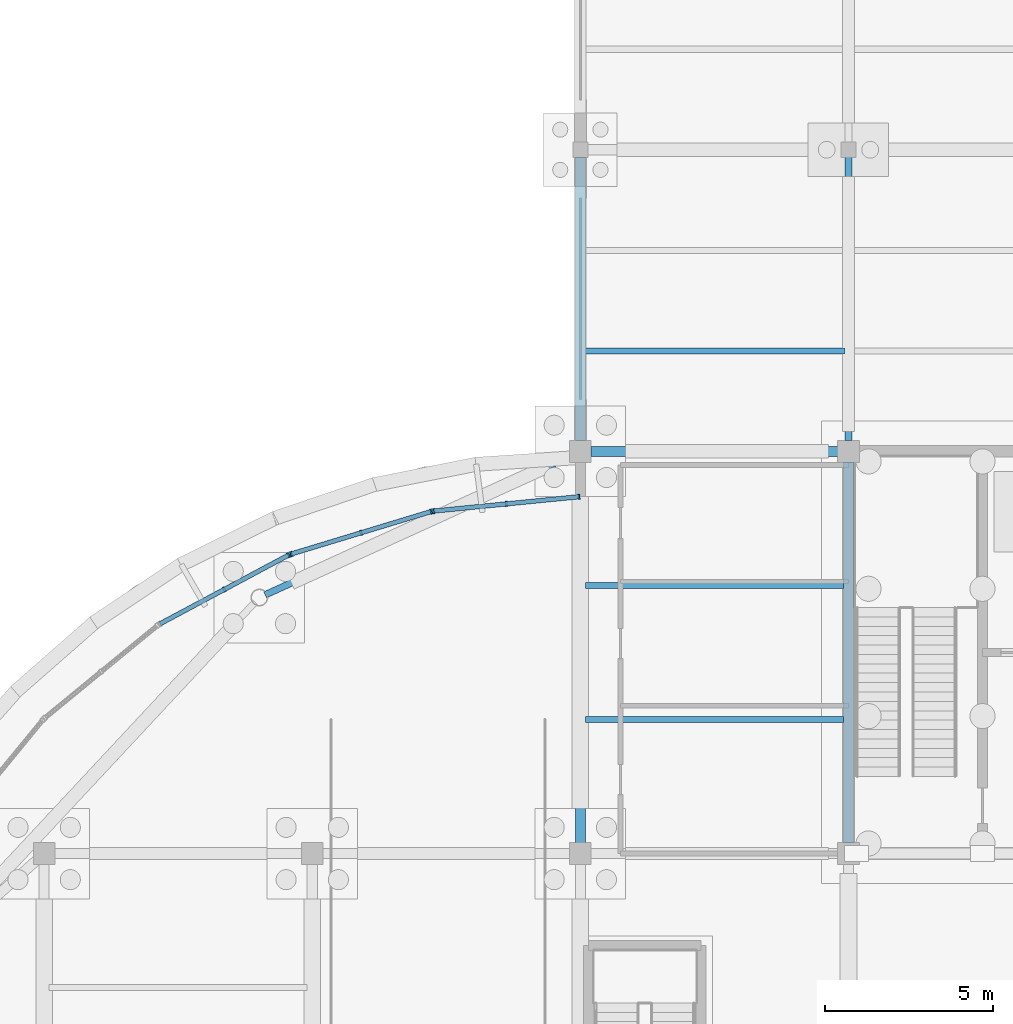
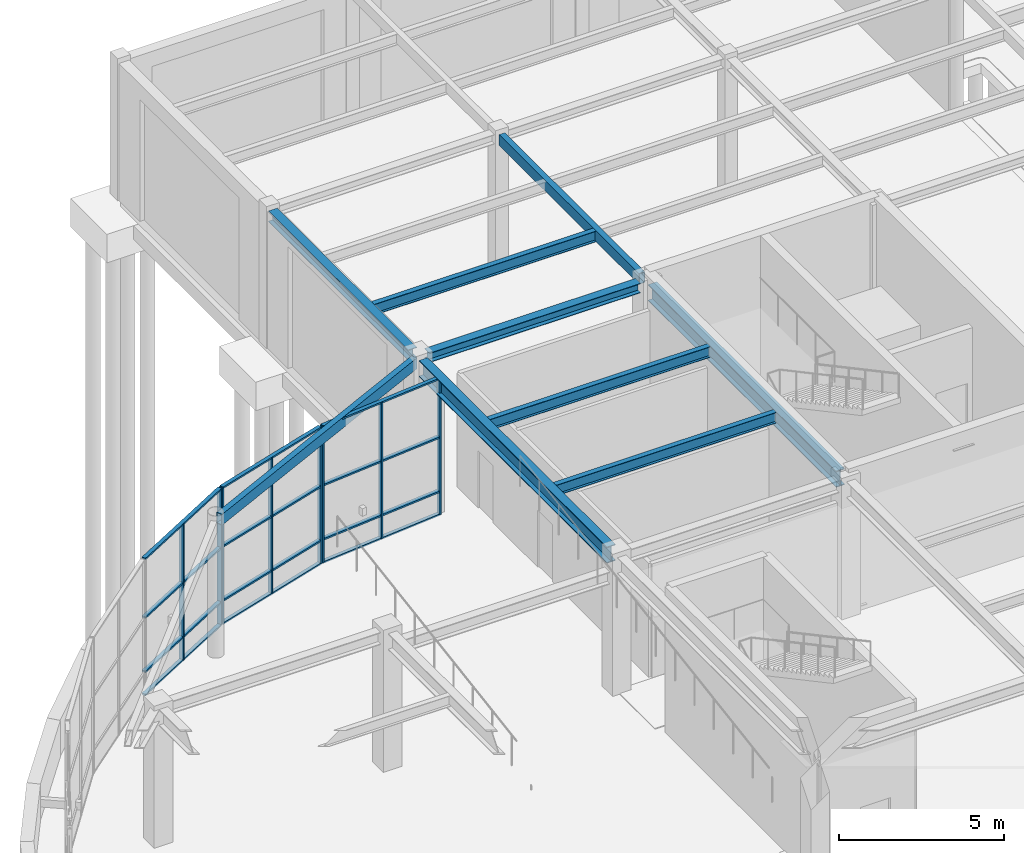
# One storey, part 32 of 85: 20 members, 9 beams, 3 elements without a shape of their own.
"""IFC4 building model written with IfcOpenShell, lengths in metres."""

from ifc_helpers import new_model, si_unit, direction, frame, origin, origin_2d, place, context, subcontext, project, spatial, rectangle, hollow_rectangle, i_section, extrude, material, layer, layer_set, material_profile, profile_set, type_object, element, aggregate, save


model = new_model("IFC4")

# Units and contexts
model_context = context("Model", 3, precision=1e-05, world=origin(), true_north=direction((0.0, 1.0)))
body_context = subcontext(model_context, "Body", "Model", "MODEL_VIEW")
ifc_project = project(units=[si_unit("LENGTHUNIT", "METRE"), si_unit("AREAUNIT", "SQUARE_METRE"), si_unit("VOLUMEUNIT", "CUBIC_METRE"), si_unit("PLANEANGLEUNIT", "RADIAN"), si_unit("MASSUNIT", "GRAM", prefix="KILO")], contexts=[model_context])

# Site, building, storey
site_placement = place(None, origin())
site = spatial("IfcSite", under=ifc_project, at=site_placement, CompositionType="ELEMENT")
building_placement = place(site_placement, origin())
building = spatial("IfcBuilding", under=site, at=building_placement, Name="Keelwater Ferry Terminal", CompositionType="ELEMENT")
storey_placement = place(building_placement, origin())
storey = spatial("IfcBuildingStorey", under=building, at=storey_placement, Name="L00", CompositionType="ELEMENT", Elevation=0.0)

# Curtain wall, members
ifc_material_1 = material(Name="Thermally broken unitised aluminium and triple glass", Category="aluminium")
ifc_layer = layer(ifc_material_1, 0.179931640625)
ifc_layer_set = layer_set([ifc_layer], Name="Thermally broken unitised aluminium and triple glass")
curtain_wall_type = type_object("IfcCurtainWallType", Name="CW-16 Unitised Curtain Wall 4350x5020", PredefinedType="USERDEFINED", material=ifc_layer_set)
curtain_wall_1_placement = place(storey_placement, origin())
curtain_wall_1 = element("IfcCurtainWall", 1, at=curtain_wall_1_placement, inside=storey, type_object=curtain_wall_type, Name="Unitised Curtain Wall CW-L00-077", ObjectType="UNITISED CURTAIN WALL", PredefinedType="USERDEFINED")
ifc_material_2 = material(Name="Aluminium mullion", Category="aluminium")
ifc_material_profile_1 = material_profile(ifc_material_2, rectangle(XDim=0.06005859375, YDim=0.14990234375, at=origin_2d()), Name="CWM-03")
ifc_profile_set_1 = profile_set([ifc_material_profile_1], Name="Aluminium mullion")
member_type_1 = type_object("IfcMemberType", Name="CWM-03 Curtain Mullion 60x150", PredefinedType="MULLION", material=ifc_profile_set_1)
member_1_placement = place(storey_placement, frame((23.955078125, 88.64599609375, 0.0), z_axis=(0.0, 0.0, 1.0), x_axis=(-0.995170573079, -0.098160737969, 0.0)))
member_1 = element("IfcMember", 2, at=member_1_placement, type_object=member_type_1, Name="CW-L00-077 Mullion 1", PredefinedType="MULLION", context=body_context, shape_type="SweptSolid", body=[
    extrude(rectangle(XDim=0.06005859375, YDim=0.14990234375, at=origin_2d()), origin(), (0.0, 0.0, 1.0), 5.02001953125),
])
member_2_placement = place(storey_placement, frame((21.79052734375, 88.4326171875, 0.0), z_axis=(0.0, 0.0, 1.0), x_axis=(-0.995170573079, -0.098160737969, 0.0)))
member_2 = element("IfcMember", 3, at=member_2_placement, type_object=member_type_1, Name="CW-L00-077 Mullion 2", PredefinedType="MULLION", context=body_context, shape_type="SweptSolid", body=[
    extrude(rectangle(XDim=0.06005859375, YDim=0.14990234375, at=origin_2d()), origin(), (0.0, 0.0, 1.0), 5.02001953125),
])
member_3_placement = place(storey_placement, frame((19.6259765625, 88.218994140625, 0.0), z_axis=(0.0, 0.0, 1.0), x_axis=(-0.995170573079, -0.098160737969, 0.0)))
member_3 = element("IfcMember", 4, at=member_3_placement, type_object=member_type_1, Name="CW-L00-077 Mullion 3", PredefinedType="MULLION", context=body_context, shape_type="SweptSolid", body=[
    extrude(rectangle(XDim=0.06005859375, YDim=0.14990234375, at=origin_2d()), origin(), (0.0, 0.0, 1.0), 5.02001953125),
])

curtain_wall_2_placement = place(storey_placement, origin())
curtain_wall_2 = element("IfcCurtainWall", 5, at=curtain_wall_2_placement, inside=storey, type_object=curtain_wall_type, Name="Unitised Curtain Wall CW-L00-078", ObjectType="UNITISED CURTAIN WALL", PredefinedType="USERDEFINED")
member_4_placement = place(storey_placement, frame((19.5380859375, 88.201904296875, 0.0), z_axis=(0.0, 0.0, 1.0), x_axis=(-0.956929623319, -0.290319989003, 0.0)))
member_4 = element("IfcMember", 6, at=member_4_placement, type_object=member_type_1, Name="CW-L00-078 Mullion 1", PredefinedType="MULLION", context=body_context, shape_type="SweptSolid", body=[
    extrude(rectangle(XDim=0.06005859375, YDim=0.14990234375, at=origin_2d()), origin(), (0.0, 0.0, 1.0), 5.02001953125),
])
member_5_placement = place(storey_placement, frame((17.45654296875, 87.570556640625, 0.0), z_axis=(0.0, 0.0, 1.0), x_axis=(-0.956929623319, -0.290319989003, 0.0)))
member_5 = element("IfcMember", 7, at=member_5_placement, type_object=member_type_1, Name="CW-L00-078 Mullion 2", PredefinedType="MULLION", context=body_context, shape_type="SweptSolid", body=[
    extrude(rectangle(XDim=0.06005859375, YDim=0.14990234375, at=origin_2d()), origin(), (0.0, 0.0, 1.0), 5.02001953125),
])
member_6_placement = place(storey_placement, frame((15.375, 86.93896484375, 0.0), z_axis=(0.0, 0.0, 1.0), x_axis=(-0.956929623319, -0.290319989003, 0.0)))
member_6 = element("IfcMember", 8, at=member_6_placement, type_object=member_type_1, Name="CW-L00-078 Mullion 3", PredefinedType="MULLION", context=body_context, shape_type="SweptSolid", body=[
    extrude(rectangle(XDim=0.06005859375, YDim=0.14990234375, at=origin_2d()), origin(), (0.0, 0.0, 1.0), 5.02001953125),
])

curtain_wall_3_placement = place(storey_placement, origin())
curtain_wall_3 = element("IfcCurtainWall", 9, at=curtain_wall_3_placement, inside=storey, type_object=curtain_wall_type, Name="Unitised Curtain Wall CW-L00-079", ObjectType="UNITISED CURTAIN WALL", PredefinedType="USERDEFINED")
member_7_placement = place(storey_placement, frame((15.2919921875, 86.905029296875, 0.0), z_axis=(0.0, 0.0, 1.0), x_axis=(-0.881862452632, -0.471506749303, 0.0)))
member_7 = element("IfcMember", 10, at=member_7_placement, type_object=member_type_1, Name="CW-L00-079 Mullion 1", PredefinedType="MULLION", context=body_context, shape_type="SweptSolid", body=[
    extrude(rectangle(XDim=0.06005859375, YDim=0.14990234375, at=origin_2d()), origin(), (0.0, 0.0, 1.0), 5.02001953125),
])
member_8_placement = place(storey_placement, frame((13.3740234375, 85.87939453125, 0.0), z_axis=(0.0, 0.0, 1.0), x_axis=(-0.881862452632, -0.471506749303, 0.0)))
member_8 = element("IfcMember", 11, at=member_8_placement, type_object=member_type_1, Name="CW-L00-079 Mullion 2", PredefinedType="MULLION", context=body_context, shape_type="SweptSolid", body=[
    extrude(rectangle(XDim=0.06005859375, YDim=0.14990234375, at=origin_2d()), origin(), (0.0, 0.0, 1.0), 5.02001953125),
])

# Member
ifc_material_3 = material(Name="Aluminium mullion", Category="aluminium")
ifc_material_profile_2 = material_profile(ifc_material_3, rectangle(XDim=0.135009765625, YDim=0.06005859375, at=origin_2d()), Name="CWT-03")
ifc_profile_set_2 = profile_set([ifc_material_profile_2], Name="Aluminium mullion")
member_type_2 = type_object("IfcMemberType", Name="CWT-03 Curtain Transom 60x135", PredefinedType="USERDEFINED", material=ifc_profile_set_2)
member_9_placement = place(storey_placement, frame((23.955078125, 88.64599609375, 0.0), z_axis=(-0.995170754178, -0.098158901932, 0.0), x_axis=(0.098158901932, -0.995170754178, 0.0)))
member_9 = element("IfcMember", 12, at=member_9_placement, type_object=member_type_2, Name="CW-L00-077 Transom 1", ObjectType="TRANSOM", PredefinedType="USERDEFINED", context=body_context, shape_type="SweptSolid", body=[
    extrude(rectangle(XDim=0.135009765625, YDim=0.06005859375, at=origin_2d()), origin(), (0.0, 0.0, 1.0), 4.35009765625),
])

member_10_placement = place(storey_placement, frame((23.955078125, 88.64599609375, 0.85009765625), z_axis=(-0.995170754178, -0.098158901932, 0.0), x_axis=(0.098158901932, -0.995170754178, 0.0)))
member_10 = element("IfcMember", 13, at=member_10_placement, type_object=member_type_2, Name="CW-L00-077 Transom 2", ObjectType="TRANSOM", PredefinedType="USERDEFINED", context=body_context, shape_type="SweptSolid", body=[
    extrude(rectangle(XDim=0.135009765625, YDim=0.06005859375, at=origin_2d()), origin(), (0.0, 0.0, 1.0), 4.35009765625),
])

member_11_placement = place(storey_placement, frame((23.955078125, 88.64599609375, 2.85009765625), z_axis=(-0.995170754178, -0.098158901932, 0.0), x_axis=(0.098158901932, -0.995170754178, 0.0)))
member_11 = element("IfcMember", 14, at=member_11_placement, type_object=member_type_2, Name="CW-L00-077 Transom 3", ObjectType="TRANSOM", PredefinedType="USERDEFINED", context=body_context, shape_type="SweptSolid", body=[
    extrude(rectangle(XDim=0.135009765625, YDim=0.06005859375, at=origin_2d()), origin(), (0.0, 0.0, 1.0), 4.35009765625),
])

member_12_placement = place(storey_placement, frame((23.955078125, 88.64599609375, 5.02001953125), z_axis=(-0.995170754178, -0.098158901932, 0.0), x_axis=(0.098158901932, -0.995170754178, 0.0)))
member_12 = element("IfcMember", 15, at=member_12_placement, type_object=member_type_2, Name="CW-L00-077 Transom 4", ObjectType="TRANSOM", PredefinedType="USERDEFINED", context=body_context, shape_type="SweptSolid", body=[
    extrude(rectangle(XDim=0.135009765625, YDim=0.06005859375, at=origin_2d()), origin(), (0.0, 0.0, 1.0), 4.35009765625),
])

aggregate(curtain_wall_1, [member_1, member_2, member_3, member_9, member_10, member_11, member_12])

member_13_placement = place(storey_placement, frame((19.5380859375, 88.201904296875, 0.0), z_axis=(-0.956935154583, -0.290301756665, 0.0), x_axis=(0.290301756665, -0.956935154583, 0.0)))
member_13 = element("IfcMember", 16, at=member_13_placement, type_object=member_type_2, Name="CW-L00-078 Transom 1", ObjectType="TRANSOM", PredefinedType="USERDEFINED", context=body_context, shape_type="SweptSolid", body=[
    extrude(rectangle(XDim=0.135009765625, YDim=0.06005859375, at=origin_2d()), origin(), (0.0, 0.0, 1.0), 4.350341796875),
])

member_14_placement = place(storey_placement, frame((19.5380859375, 88.201904296875, 0.85009765625), z_axis=(-0.956935154583, -0.290301756665, 0.0), x_axis=(0.290301756665, -0.956935154583, 0.0)))
member_14 = element("IfcMember", 17, at=member_14_placement, type_object=member_type_2, Name="CW-L00-078 Transom 2", ObjectType="TRANSOM", PredefinedType="USERDEFINED", context=body_context, shape_type="SweptSolid", body=[
    extrude(rectangle(XDim=0.135009765625, YDim=0.06005859375, at=origin_2d()), origin(), (0.0, 0.0, 1.0), 4.350341796875),
])

member_15_placement = place(storey_placement, frame((19.5380859375, 88.201904296875, 2.85009765625), z_axis=(-0.956935154583, -0.290301756665, 0.0), x_axis=(0.290301756665, -0.956935154583, 0.0)))
member_15 = element("IfcMember", 18, at=member_15_placement, type_object=member_type_2, Name="CW-L00-078 Transom 3", ObjectType="TRANSOM", PredefinedType="USERDEFINED", context=body_context, shape_type="SweptSolid", body=[
    extrude(rectangle(XDim=0.135009765625, YDim=0.06005859375, at=origin_2d()), origin(), (0.0, 0.0, 1.0), 4.350341796875),
])

member_16_placement = place(storey_placement, frame((19.5380859375, 88.201904296875, 5.02001953125), z_axis=(-0.956935154583, -0.290301756665, 0.0), x_axis=(0.290301756665, -0.956935154583, 0.0)))
member_16 = element("IfcMember", 19, at=member_16_placement, type_object=member_type_2, Name="CW-L00-078 Transom 4", ObjectType="TRANSOM", PredefinedType="USERDEFINED", context=body_context, shape_type="SweptSolid", body=[
    extrude(rectangle(XDim=0.135009765625, YDim=0.06005859375, at=origin_2d()), origin(), (0.0, 0.0, 1.0), 4.350341796875),
])

aggregate(curtain_wall_2, [member_4, member_5, member_6, member_13, member_14, member_15, member_16])

member_17_placement = place(storey_placement, frame((15.2919921875, 86.905029296875, 0.0), z_axis=(-0.881856831112, -0.471517263122, 0.0), x_axis=(0.471517263122, -0.881856831112, 0.0)))
member_17 = element("IfcMember", 20, at=member_17_placement, type_object=member_type_2, Name="CW-L00-079 Transom 1", ObjectType="TRANSOM", PredefinedType="USERDEFINED", context=body_context, shape_type="SweptSolid", body=[
    extrude(rectangle(XDim=0.135009765625, YDim=0.06005859375, at=origin_2d()), origin(), (0.0, 0.0, 1.0), 4.349853515625),
])

member_18_placement = place(storey_placement, frame((15.2919921875, 86.905029296875, 0.85009765625), z_axis=(-0.881856831112, -0.471517263122, 0.0), x_axis=(0.471517263122, -0.881856831112, 0.0)))
member_18 = element("IfcMember", 21, at=member_18_placement, type_object=member_type_2, Name="CW-L00-079 Transom 2", ObjectType="TRANSOM", PredefinedType="USERDEFINED", context=body_context, shape_type="SweptSolid", body=[
    extrude(rectangle(XDim=0.135009765625, YDim=0.06005859375, at=origin_2d()), origin(), (0.0, 0.0, 1.0), 4.349853515625),
])

member_19_placement = place(storey_placement, frame((15.2919921875, 86.905029296875, 2.85009765625), z_axis=(-0.881856831112, -0.471517263122, 0.0), x_axis=(0.471517263122, -0.881856831112, 0.0)))
member_19 = element("IfcMember", 22, at=member_19_placement, type_object=member_type_2, Name="CW-L00-079 Transom 3", ObjectType="TRANSOM", PredefinedType="USERDEFINED", context=body_context, shape_type="SweptSolid", body=[
    extrude(rectangle(XDim=0.135009765625, YDim=0.06005859375, at=origin_2d()), origin(), (0.0, 0.0, 1.0), 4.349853515625),
])

member_20_placement = place(storey_placement, frame((15.2919921875, 86.905029296875, 5.02001953125), z_axis=(-0.881856831112, -0.471517263122, 0.0), x_axis=(0.471517263122, -0.881856831112, 0.0)))
member_20 = element("IfcMember", 23, at=member_20_placement, type_object=member_type_2, Name="CW-L00-079 Transom 4", ObjectType="TRANSOM", PredefinedType="USERDEFINED", context=body_context, shape_type="SweptSolid", body=[
    extrude(rectangle(XDim=0.135009765625, YDim=0.06005859375, at=origin_2d()), origin(), (0.0, 0.0, 1.0), 4.349853515625),
])

aggregate(curtain_wall_3, [member_7, member_8, member_17, member_18, member_19, member_20])

# Beams
ifc_material_4 = material(Name="Steel S355", Category="steel")
ifc_material_profile_3 = material_profile(ifc_material_4, i_section(OverallWidth=0.300048828125, OverallDepth=0.60009765625, WebThickness=0.015380859375, FlangeThickness=0.030029296875, at=origin_2d()), Name="HEB 600")
ifc_profile_set_3 = profile_set([ifc_material_profile_3], Name="Steel S355")
beam_type_1 = type_object("IfcBeamType", Name="G3 HEB 600", PredefinedType="BEAM", material=ifc_profile_set_3)
beam_1_placement = place(storey_placement, frame((24.0, 78.318115234375, 4.760009765625), z_axis=(0.0, 1.0, 0.0), x_axis=(-1.0, 0.0, 0.0)))
element("IfcBeam", 24, at=beam_1_placement, inside=storey, type_object=beam_type_1, Name="Beam BM-L00-0161", PredefinedType="BEAM", context=body_context, shape_type="SweptSolid", body=[
    extrude(i_section(OverallWidth=0.300048828125, OverallDepth=0.60009765625, WebThickness=0.015380859375, FlangeThickness=0.030029296875, at=origin_2d()), origin(), (0.0, 0.0, 1.0), 11.36376953125),
])
ifc_material_5 = material(Name="Steel S355", Category="steel")
ifc_material_profile_4 = material_profile(ifc_material_5, i_section(OverallWidth=0.300048828125, OverallDepth=0.60009765625, WebThickness=0.015380859375, FlangeThickness=0.030029296875, at=origin_2d()), Name="HEB 600")
ifc_profile_set_4 = profile_set([ifc_material_profile_4], Name="Steel S355")
beam_type_2 = type_object("IfcBeamType", Name="G3E HEB 600", PredefinedType="BEAM", material=ifc_profile_set_4)
beam_2_placement = place(storey_placement, frame((32.0, 78.318115234375, 4.760009765625), z_axis=(0.0, 1.0, 0.0), x_axis=(-1.0, 0.0, 0.0)))
element("IfcBeam", 25, at=beam_2_placement, inside=storey, type_object=beam_type_2, Name="Beam BM-L00-0171", PredefinedType="BEAM", context=body_context, shape_type="SweptSolid", body=[
    extrude(i_section(OverallWidth=0.300048828125, OverallDepth=0.60009765625, WebThickness=0.015380859375, FlangeThickness=0.030029296875, at=origin_2d()), origin(), (0.0, 0.0, 1.0), 11.36376953125),
])
ifc_material_6 = material(Name="Steel S355", Category="steel")
ifc_material_profile_5 = material_profile(ifc_material_6, i_section(OverallWidth=0.300048828125, OverallDepth=0.39990234375, WebThickness=0.013427734375, FlangeThickness=0.02392578125, at=origin_2d()), Name="HEB 400")
ifc_profile_set_5 = profile_set([ifc_material_profile_5], Name="Steel S355")
beam_type_3 = type_object("IfcBeamType", Name="G7 HEB 400", PredefinedType="BEAM", material=ifc_profile_set_5)
beam_3_placement = place(storey_placement, frame((24.0, 90.318115234375, 4.860107421875), z_axis=(0.0, 1.0, 0.0), x_axis=(-1.0, 0.0, 0.0)))
element("IfcBeam", 26, at=beam_3_placement, inside=storey, type_object=beam_type_3, Name="Beam BM-L00-0162", PredefinedType="BEAM", context=body_context, shape_type="SweptSolid", body=[
    extrude(i_section(OverallWidth=0.300048828125, OverallDepth=0.39990234375, WebThickness=0.013427734375, FlangeThickness=0.02392578125, at=origin_2d()), origin(), (0.0, 0.0, 1.0), 8.4619140625),
])
ifc_material_7 = material(Name="Steel S355", Category="steel")
ifc_material_profile_6 = material_profile(ifc_material_7, i_section(OverallWidth=0.179931640625, OverallDepth=0.39990234375, WebThickness=0.008544921875, FlangeThickness=0.013427734375, at=origin_2d()), Name="IPE 400")
ifc_profile_set_6 = profile_set([ifc_material_profile_6], Name="Steel S355")
beam_type_4 = type_object("IfcBeamType", Name="J5 IPE 400", PredefinedType="JOIST", material=ifc_profile_set_6)
for number, where, z_axis, x_axis, name in (
    (27, (24.14990234375, 82.0, 4.860107421875), (1.0, 0.0, 0.0), (0.0, 1.0, 0.0), "Beam BM-L00-0312"),
    (28, (24.14990234375, 86.0, 4.860107421875), (1.0, 0.0, 0.0), (0.0, 1.0, 0.0), "Beam BM-L00-0313"),
):
    element("IfcBeam", number, at=place(storey_placement, frame(where, z_axis=z_axis, x_axis=x_axis)), inside=storey, type_object=beam_type_4, Name=name, PredefinedType="JOIST", context=body_context, shape_type="SweptSolid", body=[
        extrude(i_section(OverallWidth=0.179931640625, OverallDepth=0.39990234375, WebThickness=0.008544921875, FlangeThickness=0.013427734375, at=origin_2d()), origin(), (0.0, 0.0, 1.0), 7.7001953125),
    ])
beam_4_placement = place(storey_placement, frame((24.14990234375, 93.0, 4.860107421875), z_axis=(1.0, 0.0, 0.0), x_axis=(0.0, 1.0, 0.0)))
element("IfcBeam", 29, at=beam_4_placement, inside=storey, type_object=beam_type_4, Name="Beam BM-L00-0314", PredefinedType="JOIST", context=body_context, shape_type="SweptSolid", body=[
    extrude(i_section(OverallWidth=0.179931640625, OverallDepth=0.39990234375, WebThickness=0.008544921875, FlangeThickness=0.013427734375, at=origin_2d()), origin(), (0.0, 0.0, 1.0), 7.75),
])
ifc_material_8 = material(Name="Steel S355", Category="steel")
ifc_material_profile_7 = material_profile(ifc_material_8, i_section(OverallWidth=0.300048828125, OverallDepth=0.35009765625, WebThickness=0.010009765625, FlangeThickness=0.017578125, at=origin_2d()), Name="HEA 360")
ifc_profile_set_7 = profile_set([ifc_material_profile_7], Name="Steel S355")
beam_type_5 = type_object("IfcBeamType", Name="SP1E HEA 360", PredefinedType="SPANDREL", material=ifc_profile_set_7)
beam_5_placement = place(storey_placement, frame((24.318115234375, 90.0, 4.885009765625), z_axis=(1.0, 0.0, 0.0), x_axis=(0.0, 1.0, 0.0)))
element("IfcBeam", 30, at=beam_5_placement, inside=storey, type_object=beam_type_5, Name="Beam BM-L00-0085", PredefinedType="SPANDREL", context=body_context, shape_type="SweptSolid", body=[
    extrude(i_section(OverallWidth=0.300048828125, OverallDepth=0.35009765625, WebThickness=0.010009765625, FlangeThickness=0.017578125, at=origin_2d()), origin(), (0.0, 0.0, 1.0), 7.36376953125),
])
ifc_material_9 = material(Name="Steel S355", Category="steel")
ifc_material_profile_8 = material_profile(ifc_material_9, hollow_rectangle(XDim=0.199951171875, YDim=0.39990234375, WallThickness=0.01611328125, at=origin_2d()), Name="RHS 400x200x16")
ifc_profile_set_8 = profile_set([ifc_material_profile_8], Name="Steel S355")
beam_type_6 = type_object("IfcBeamType", Name="SP3E RHS 400x200x16", PredefinedType="SPANDREL", material=ifc_profile_set_8)
beam_6_placement = place(storey_placement, frame((32.0, 90.318115234375, 4.860107421875), z_axis=(0.0, 1.0, 0.0), x_axis=(-1.0, 0.0, 0.0)))
element("IfcBeam", 31, at=beam_6_placement, inside=storey, type_object=beam_type_6, Name="Beam BM-L00-0172", PredefinedType="SPANDREL", context=body_context, shape_type="SweptSolid", body=[
    extrude(hollow_rectangle(XDim=0.199951171875, YDim=0.39990234375, WallThickness=0.01611328125, at=origin_2d()), origin(), (0.0, 0.0, 1.0), 8.4619140625),
])
beam_7_placement = place(storey_placement, frame((23.826904296875, 89.9208984375, 4.860107421875), z_axis=(-0.910123163328, -0.414337818181, 0.0), x_axis=(0.414337818181, -0.910123163328, 0.0)))
element("IfcBeam", 32, at=beam_7_placement, inside=storey, type_object=beam_type_6, Name="Beam BM-L00-0585", PredefinedType="SPANDREL", context=body_context, shape_type="SweptSolid", body=[
    extrude(hollow_rectangle(XDim=0.199951171875, YDim=0.39990234375, WallThickness=0.01611328125, at=origin_2d()), origin(), (0.0, 0.0, 1.0), 10.1435546875),
])

save(model, "model.ifc")
